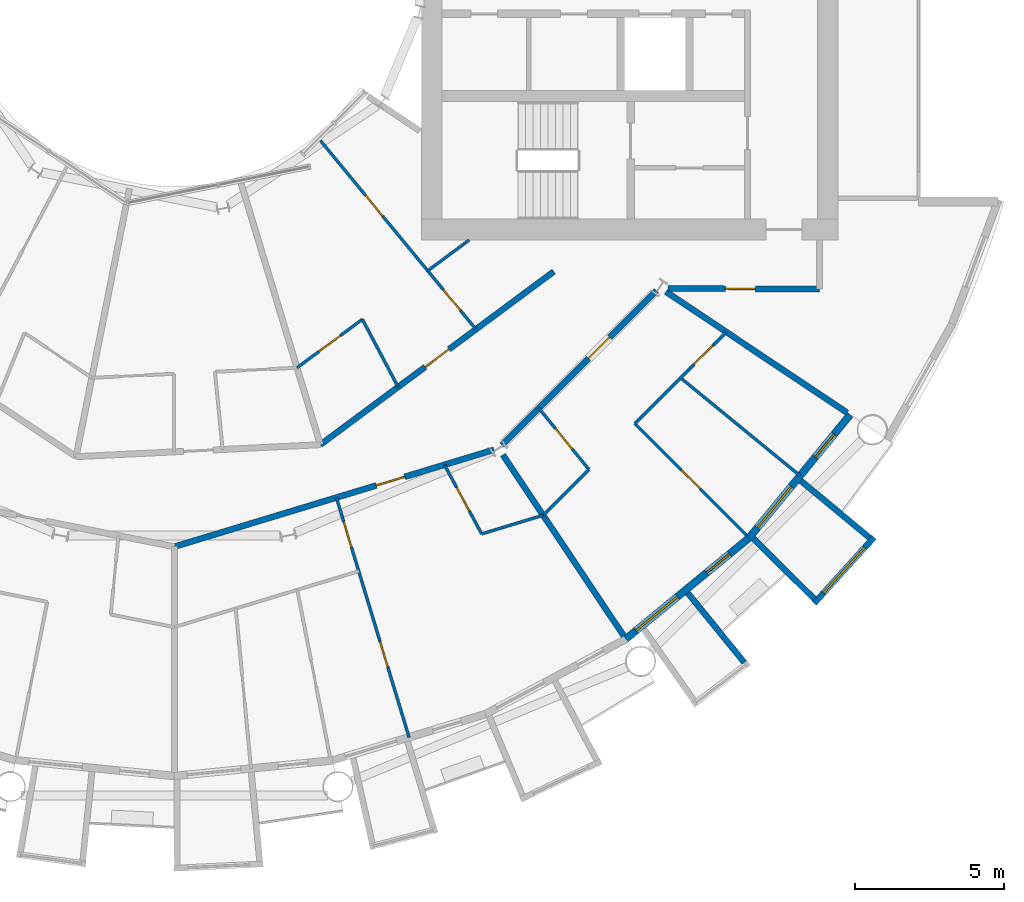
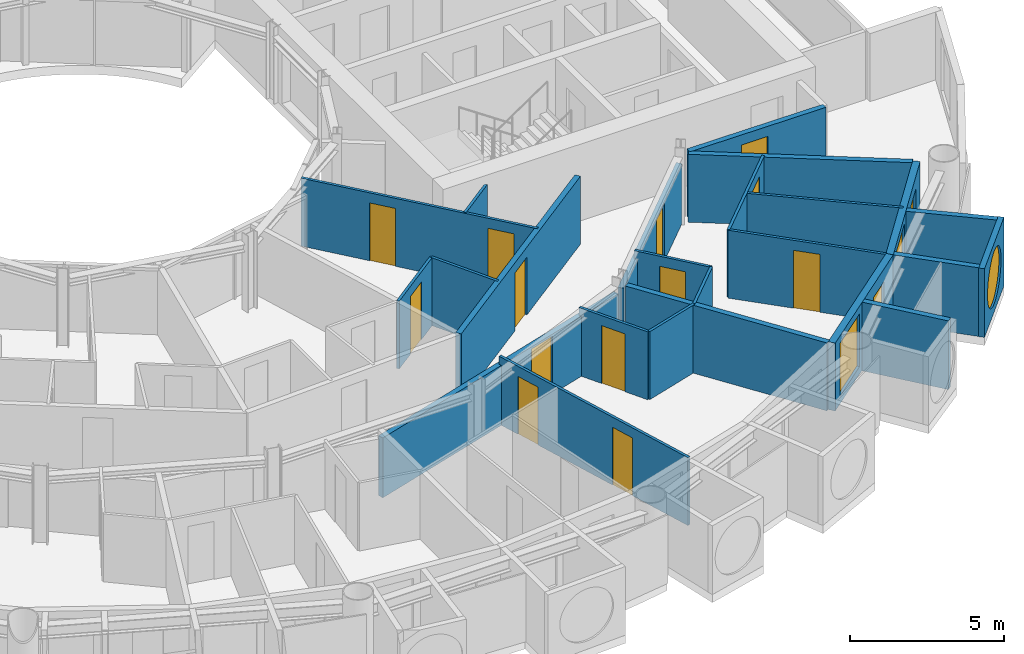
# One storey, part 16 of 26: 24 walls, 15 doors, 3 windows, 18 openings.
"""IFC4 building model written with IfcOpenShell, lengths in metres."""

import ifcopenshell
import ifcopenshell.guid

model = None  # the IFC model being written
_history = None  # IfcOwnerHistory: only IFC2X3 demands one
_inside = {}  # id of a spatial element -> (the spatial element, [elements in it])
_under = {}  # id of a project, library or spatial element -> (it, [spatial elements below it])
_declared = {}  # id of a project -> (the project, [libraries it declares])
_typed = {}  # id of a type object -> (the type object, [elements of that type])
_made_of = {}  # id of a material, layer set ... -> (it, [elements and type objects made of it])


def new_model(schema):
    """Start an empty IFC model of exactly this schema.

    Asked for "IFC4X3", IfcOpenShell would pick the latest addendum, in which some entities
    have other attributes; the version numbers below select the first issue.
    IFC2X3 requires an IfcOwnerHistory on every rooted entity: one is made here for all.
    """
    global model, _history
    if schema == "IFC4X3":
        model = ifcopenshell.file(schema_version=(4, 3, 0, 0))
    else:
        model = ifcopenshell.file(schema=schema)
    _inside.clear()
    _under.clear()
    _declared.clear()
    _typed.clear()
    _made_of.clear()
    _history = None
    if model.schema == "IFC2X3":
        org = make("IfcOrganization", Name="unknown")
        user = make(
            "IfcPersonAndOrganization",
            ThePerson=make("IfcPerson", FamilyName="unknown"),
            TheOrganization=org,
        )
        app = make(
            "IfcApplication",
            ApplicationDeveloper=org,
            Version="unknown",
            ApplicationFullName="unknown",
            ApplicationIdentifier="unknown",
        )
        _history = make(
            "IfcOwnerHistory",
            OwningUser=user,
            OwningApplication=app,
            ChangeAction="ADDED",
            CreationDate=0,
        )
    return model


def make(cls, **values):
    """One entity of the class cls with the attributes given. An attribute that is None is left unset."""
    return model.create_entity(
        cls, **{name: value for name, value in values.items() if value is not None}
    )


def rooted(cls, **values):
    """An entity with a GlobalId (a new one), such as an element, a storey or a relation."""
    return make(cls, GlobalId=ifcopenshell.guid.new(), OwnerHistory=_history, **values)


def si_unit(unit_type, name, prefix=None):
    """IfcSIUnit, for example si_unit("LENGTHUNIT", "METRE", prefix="MILLI")."""
    return make("IfcSIUnit", UnitType=unit_type, Prefix=prefix, Name=name)


def assignment(units):
    """IfcUnitAssignment: the units of a project."""
    return None if units is None else make("IfcUnitAssignment", Units=units)


def point(xyz):
    """IfcCartesianPoint."""
    return None if xyz is None else make("IfcCartesianPoint", Coordinates=xyz)


def direction(xyz):
    """IfcDirection."""
    return None if xyz is None else make("IfcDirection", DirectionRatios=xyz)


def frame(location, z_axis=None, x_axis=None):
    """IfcAxis2Placement3D, a coordinate frame: its origin and axes. An axis left out is left unset."""
    return make(
        "IfcAxis2Placement3D",
        Location=point(location),
        Axis=direction(z_axis),
        RefDirection=direction(x_axis),
    )


def frame_2d(location, x_axis=None):
    """IfcAxis2Placement2D, a coordinate frame in the plane: its origin and x axis."""
    return make(
        "IfcAxis2Placement2D", Location=point(location), RefDirection=direction(x_axis)
    )


def origin():
    """The frame at (0, 0, 0) with its axes left unset."""
    return frame((0.0, 0.0, 0.0))


def place(relative_to, where):
    """IfcLocalPlacement: puts the frame where relative to a parent placement (None: the world)."""
    return make(
        "IfcLocalPlacement", PlacementRelTo=relative_to, RelativePlacement=where
    )


def context(
    kind, dimensions, precision=None, world=None, true_north=None, identifier=None
):
    """IfcGeometricRepresentationContext, for example the 3D "Model" context."""
    return make(
        "IfcGeometricRepresentationContext",
        ContextIdentifier=identifier,
        ContextType=kind,
        CoordinateSpaceDimension=dimensions,
        Precision=precision,
        WorldCoordinateSystem=world,
        TrueNorth=true_north,
    )


def subcontext(parent, identifier, kind, view, scale=None):
    """IfcGeometricRepresentationSubContext, for example "Body" below "Model"."""
    return make(
        "IfcGeometricRepresentationSubContext",
        ContextIdentifier=identifier,
        ContextType=kind,
        ParentContext=parent,
        TargetScale=scale,
        TargetView=view,
    )


def project(units=None, contexts=None):
    """IfcProject with its units and contexts."""
    return rooted(
        "IfcProject",
        Name="project",
        RepresentationContexts=contexts,
        UnitsInContext=assignment(units),
    )


def spatial(cls, under=None, at=None, **own):
    """A site, building, storey or space (cls), placed at a placement, below another one or the project."""
    s = rooted(cls, ObjectPlacement=at, **own)
    if under is not None:
        _under.setdefault(under.id(), (under, []))[1].append(s)
    return s


def profile(cls, at=None, kind="AREA", **sizes):
    """A parametric profile (cls). Its sizes go by their IFC names, for example OverallWidth=200.0."""
    return make(cls, ProfileType=kind, Position=at, **sizes)


def rectangle(**sizes):
    """IfcRectangleProfileDef."""
    return profile("IfcRectangleProfileDef", **sizes)


def circle(**sizes):
    """IfcCircleProfileDef."""
    return profile("IfcCircleProfileDef", **sizes)


def extrude(swept, where, along, depth):
    """IfcExtrudedAreaSolid: the profile swept, set in the frame where, extruded along a direction by depth."""
    return make(
        "IfcExtrudedAreaSolid",
        SweptArea=swept,
        Position=where,
        ExtrudedDirection=direction(along),
        Depth=depth,
    )


def shape(context_of_items, identifier, shape_type, items):
    """IfcShapeRepresentation: the items that make up one representation, for example the "Body"."""
    return make(
        "IfcShapeRepresentation",
        ContextOfItems=context_of_items,
        RepresentationIdentifier=identifier,
        RepresentationType=shape_type,
        Items=items,
    )


def material(Name=None, Category=None):
    """IfcMaterial."""
    return make("IfcMaterial", Name=Name, Category=Category)


def layer(
    of_material, thickness, ventilated=None, Name=None, Category=None, Priority=None
):
    """IfcMaterialLayer: one layer of a wall or slab, of a material (None: an air gap)."""
    return make(
        "IfcMaterialLayer",
        Material=of_material,
        LayerThickness=thickness,
        IsVentilated=ventilated,
        Name=Name,
        Category=Category,
        Priority=Priority,
    )


def layer_set(layers, Name=None):
    """IfcMaterialLayerSet."""
    return make("IfcMaterialLayerSet", MaterialLayers=layers, LayerSetName=Name)


def made_of(thing, what):
    """Note that an element or type object is made of a material, layer set ...; save() writes the relation."""
    if what is not None:
        _made_of.setdefault(what.id(), (what, []))[1].append(thing)
    return thing


def type_object(cls, material=None, **own):
    """A type object (cls), such as IfcWallType, which elements share."""
    return made_of(rooted(cls, **own), material)


def element(
    cls,
    number,
    at=None,
    inside=None,
    cuts=None,
    type_object=None,
    material=None,
    context=None,
    identifier="Body",
    shape_type=None,
    held_by="IfcProductDefinitionShape",
    body=None,
    shapes=None,
    **own,
):
    """One element of the class cls, such as IfcWall. Its Tag is "e" and its number.

    at: its placement. inside: the storey or other place that contains it. cuts: it is an
    opening in that element (IfcRelVoidsElement). A single representation is given by context,
    identifier, shape_type and body (its items); several are given by shapes. held_by: the class
    of the entity that holds the representations. save() writes the other relations.
    """
    e = rooted(cls, Tag="e%d" % number, ObjectPlacement=at, **own)
    if body is not None:
        shapes = [shape(context, identifier, shape_type, body)]
    if shapes is not None:
        e.Representation = make(held_by, Representations=shapes)
    if inside is not None:
        _inside.setdefault(inside.id(), (inside, []))[1].append(e)
    if cuts is not None:
        rooted(
            "IfcRelVoidsElement", RelatingBuildingElement=cuts, RelatedOpeningElement=e
        )
    if type_object is not None:
        _typed.setdefault(type_object.id(), (type_object, []))[1].append(e)
    return made_of(e, material)


def fill(opening, filler):
    """IfcRelFillsElement: the door or window that sits in an opening."""
    return rooted(
        "IfcRelFillsElement",
        RelatingOpeningElement=opening,
        RelatedBuildingElement=filler,
    )


def aggregate(whole, parts):
    """IfcRelAggregates: a whole, such as a stair, and the parts it consists of."""
    return rooted("IfcRelAggregates", RelatingObject=whole, RelatedObjects=parts)


def save(model, path):
    """Write the relations noted so far, then the file.

    IfcRelAggregates (storeys below a building ...), IfcRelContainedInSpatialStructure (elements
    in a storey), IfcRelDefinesByType, IfcRelAssociatesMaterial and IfcRelDeclares: one each for
    every whole, place, type object, material and project.
    """
    for whole, parts in _under.values():
        aggregate(whole, parts)
    for where, things in _inside.values():
        rooted(
            "IfcRelContainedInSpatialStructure",
            RelatedElements=things,
            RelatingStructure=where,
        )
    for kind, things in _typed.values():
        rooted("IfcRelDefinesByType", RelatedObjects=things, RelatingType=kind)
    for what, things in _made_of.values():
        rooted("IfcRelAssociatesMaterial", RelatedObjects=things, RelatingMaterial=what)
    for by, libraries in _declared.values():
        rooted("IfcRelDeclares", RelatingContext=by, RelatedDefinitions=libraries)
    model.write(path)


model = new_model("IFC4")

# Units and contexts
model_context = context("Model", 3, precision=1e-05, world=origin(), true_north=direction((0.0, 1.0)))
body_context = subcontext(model_context, "Body", "Model", "MODEL_VIEW")
ifc_project = project(units=[si_unit("LENGTHUNIT", "METRE"), si_unit("AREAUNIT", "SQUARE_METRE"), si_unit("VOLUMEUNIT", "CUBIC_METRE"), si_unit("PLANEANGLEUNIT", "RADIAN"), si_unit("MASSUNIT", "GRAM", prefix="KILO")], contexts=[model_context])

# Site, building, storey
site_placement = place(None, origin())
site = spatial("IfcSite", under=ifc_project, at=site_placement, CompositionType="ELEMENT")
building_placement = place(site_placement, origin())
building = spatial("IfcBuilding", under=site, at=building_placement, Name="Maasbend Ring Residences", CompositionType="ELEMENT")
storey_placement = place(building_placement, frame((0.0, 0.0, 91.050048828125)))
storey = spatial("IfcBuildingStorey", under=building, at=storey_placement, Name="L26", CompositionType="ELEMENT", Elevation=91.050048828125)

# Wall, opening, door
ifc_material_1 = material(Name="Concrete C30/37", Category="concrete")
ifc_layer_1 = layer(ifc_material_1, 0.199951171875)
ifc_layer_set_1 = layer_set([ifc_layer_1], Name="Concrete C30/37")
wall_type_1 = type_object("IfcWallType", Name="CORRIDOR WALL 200 CONCRETE", PredefinedType="PARTITIONING", material=ifc_layer_set_1)
wall_1_placement = place(storey_placement, frame((11.0, -16.18603515625, 0.0), z_axis=(0.0, 0.0, 1.0), x_axis=(0.707106781187, 0.707106781187, 0.0)))
wall_1 = element("IfcWall", 1, at=wall_1_placement, inside=storey, type_object=wall_type_1, Name="U-L26-w012", PredefinedType="PARTITIONING", context=body_context, shape_type="SweptSolid", body=[
    extrude(rectangle(XDim=7.334228515625, YDim=0.199951171875, at=frame_2d((3.6669921875, 0.0))), origin(), (0.0, 0.0, 1.0), 2.3798828125),
])
opening_1_placement = place(wall_1_placement, frame((4.123046875, 0.0, 0.0)))
opening_1 = element("IfcOpeningElement", 2, at=opening_1_placement, cuts=wall_1, Name="Opening D-2648", PredefinedType="OPENING", context=body_context, shape_type="SweptSolid", body=[
    extrude(rectangle(XDim=1.0, YDim=2.300048828125, at=frame_2d((0.5, 1.14990234375))), frame((0.0, 0.10986328125, 0.0), z_axis=(0.0, -1.0, 0.0), x_axis=(1.0, 0.0, 0.0)), (0.0, 0.0, 1.0), 0.219970703125),
])
ifc_material_2 = material(Name="Timber, fire-rated, painted", Category="wood")
door_type_1 = type_object("IfcDoorType", Name="FLAT ENTRANCE DOOR 1000 X 2300 FIRE-RATED", OperationType="NOTDEFINED", PredefinedType="DOOR", material=ifc_material_2)
door_1_placement = place(opening_1_placement, origin())
door_1 = element("IfcDoor", 3, at=door_1_placement, inside=storey, type_object=door_type_1, Name="D-2648", OperationType="SINGLE_SWING_RIGHT", OverallHeight=2.300048828125, OverallWidth=1.0, PredefinedType="DOOR", context=body_context, shape_type="SweptSolid", body=[
    extrude(rectangle(XDim=1.0, YDim=2.300048828125, at=frame_2d((0.5, 1.14990234375))), frame((0.0, 0.02490234375, 0.0), z_axis=(0.0, -1.0, 0.0), x_axis=(1.0, 0.0, 0.0)), (0.0, 0.0, 1.0), 0.050048828125),
])
fill(opening_1, door_1)

wall_2_placement = place(storey_placement, frame((0.0, -19.60009765625, 0.0), z_axis=(0.0, 0.0, 1.0), x_axis=(0.956932298225, 0.290311172044, 0.0)))
wall_2 = element("IfcWall", 4, at=wall_2_placement, inside=storey, type_object=wall_type_1, Name="U-L26-w014", PredefinedType="PARTITIONING", context=body_context, shape_type="SweptSolid", body=[
    extrude(rectangle(XDim=11.21923828125, YDim=0.199951171875, at=frame_2d((5.609619140625, 0.0))), origin(), (0.0, 0.0, 1.0), 2.3798828125),
])
opening_2_placement = place(wall_2_placement, frame((7.0859375, 0.0, 0.0)))
opening_2 = element("IfcOpeningElement", 5, at=opening_2_placement, cuts=wall_2, Name="Opening D-2642", PredefinedType="OPENING", context=body_context, shape_type="SweptSolid", body=[
    extrude(rectangle(XDim=1.0, YDim=2.300048828125, at=frame_2d((0.5, 1.14990234375))), frame((0.0, 0.10986328125, 0.0), z_axis=(0.0, -1.0, 0.0), x_axis=(1.0, 0.0, 0.0)), (0.0, 0.0, 1.0), 0.219970703125),
])
door_2_placement = place(opening_2_placement, origin())
door_2 = element("IfcDoor", 6, at=door_2_placement, inside=storey, type_object=door_type_1, Name="D-2642", OperationType="SINGLE_SWING_RIGHT", OverallHeight=2.300048828125, OverallWidth=1.0, PredefinedType="DOOR", context=body_context, shape_type="SweptSolid", body=[
    extrude(rectangle(XDim=1.0, YDim=2.300048828125, at=frame_2d((0.5, 1.14990234375))), frame((0.0, 0.02490234375, 0.0), z_axis=(0.0, -1.0, 0.0), x_axis=(1.0, 0.0, 0.0)), (0.0, 0.0, 1.0), 0.050048828125),
])
fill(opening_2, door_2)

wall_3_placement = place(storey_placement, frame((4.906005859375, -16.172119140625, 0.0), z_axis=(0.0, 0.0, 1.0), x_axis=(0.803191461888, 0.595720971219, 0.0)))
wall_3 = element("IfcWall", 7, at=wall_3_placement, inside=storey, type_object=wall_type_1, Name="U-L26-w016", PredefinedType="PARTITIONING", context=body_context, shape_type="SweptSolid", body=[
    extrude(rectangle(XDim=9.760009765625, YDim=0.199951171875, at=frame_2d((4.8798828125, 0.0))), origin(), (0.0, 0.0, 1.0), 2.699951171875),
])
opening_3_placement = place(wall_3_placement, frame((4.3798828125, 0.0, 0.0)))
opening_3 = element("IfcOpeningElement", 8, at=opening_3_placement, cuts=wall_3, Name="Opening D-2659", PredefinedType="OPENING", context=body_context, shape_type="SweptSolid", body=[
    extrude(rectangle(XDim=1.0, YDim=2.300048828125, at=frame_2d((0.5, 1.14990234375))), frame((0.0, 0.10986328125, 0.0), z_axis=(0.0, -1.0, 0.0), x_axis=(1.0, 0.0, 0.0)), (0.0, 0.0, 1.0), 0.219970703125),
])
door_3_placement = place(opening_3_placement, origin())
door_3 = element("IfcDoor", 9, at=door_3_placement, inside=storey, type_object=door_type_1, Name="D-2659", OperationType="SINGLE_SWING_LEFT", OverallHeight=2.300048828125, OverallWidth=1.0, PredefinedType="DOOR", context=body_context, shape_type="SweptSolid", body=[
    extrude(rectangle(XDim=1.0, YDim=2.300048828125, at=frame_2d((0.5, 1.14990234375))), frame((0.0, 0.02490234375, 0.0), z_axis=(0.0, -1.0, 0.0), x_axis=(1.0, 0.0, 0.0)), (0.0, 0.0, 1.0), 0.050048828125),
])
fill(opening_3, door_3)

wall_4_placement = place(storey_placement, frame((16.587890625, -10.925048828125, 0.0), z_axis=(0.0, 0.0, 1.0), x_axis=(0.999988019025, -0.004895079807, 0.0)))
wall_4 = element("IfcWall", 10, at=wall_4_placement, inside=storey, type_object=wall_type_1, Name="U-L26-w025", PredefinedType="PARTITIONING", context=body_context, shape_type="SweptSolid", body=[
    extrude(rectangle(XDim=5.087158203125, YDim=0.199951171875, at=frame_2d((2.54345703125, 0.0))), origin(), (0.0, 0.0, 1.0), 2.699951171875),
])
opening_4_placement = place(wall_4_placement, frame((1.925048828125, 0.0, 0.0)))
opening_4 = element("IfcOpeningElement", 11, at=opening_4_placement, cuts=wall_4, Name="Opening D-2665", PredefinedType="OPENING", context=body_context, shape_type="SweptSolid", body=[
    extrude(rectangle(XDim=1.0, YDim=2.300048828125, at=frame_2d((0.5, 1.14990234375))), frame((0.0, 0.10986328125, 0.0), z_axis=(0.0, -1.0, 0.0), x_axis=(1.0, 0.0, 0.0)), (0.0, 0.0, 1.0), 0.219970703125),
])
ifc_material_3 = material(Name="Timber, painted", Category="wood")
door_type_2 = type_object("IfcDoorType", Name="ROOM DOOR 1000 X 2300", OperationType="NOTDEFINED", PredefinedType="DOOR", material=ifc_material_3)
door_4_placement = place(opening_4_placement, origin())
door_4 = element("IfcDoor", 12, at=door_4_placement, inside=storey, type_object=door_type_2, Name="D-2665", OperationType="SINGLE_SWING_LEFT", OverallHeight=2.300048828125, OverallWidth=1.0, PredefinedType="DOOR", context=body_context, shape_type="SweptSolid", body=[
    extrude(rectangle(XDim=1.0, YDim=2.300048828125, at=frame_2d((0.5, 1.14990234375))), frame((0.0, 0.02490234375, 0.0), z_axis=(0.0, -1.0, 0.0), x_axis=(1.0, 0.0, 0.0)), (0.0, 0.0, 1.0), 0.050048828125),
])
fill(opening_4, door_4)

# Wall
ifc_material_4 = material(Name="Pale anodised aluminium panel", Category="aluminium")
ifc_layer_2 = layer(ifc_material_4, 0.199951171875)
ifc_layer_set_2 = layer_set([ifc_layer_2], Name="EW-BOX")
wall_type_2 = type_object("IfcWallType", Name="EW-BOX", PredefinedType="SOLIDWALL", material=ifc_layer_set_2)
wall_5_placement = place(storey_placement, frame((17.24609375, -21.155029296875, -0.030029296875), z_axis=(0.0, 0.0, 1.0), x_axis=(0.631741648902, -0.775179004516, 0.0)))
element("IfcWall", 13, at=wall_5_placement, inside=storey, type_object=wall_type_2, Name="Box side wall S17 right", PredefinedType="SOLIDWALL", context=body_context, shape_type="SweptSolid", body=[
    extrude(rectangle(XDim=3.005859375, YDim=0.199951171875, at=frame_2d((1.5029296875, 0.0))), origin(), (0.0, 0.0, 1.0), 2.72998046875),
])

# Wall, opening, window
wall_6_placement = place(storey_placement, frame((21.492919921875, -21.5, -0.030029296875), z_axis=(0.0, 0.0, 1.0), x_axis=(0.671506829416, 0.740998365753, 0.0)))
wall_6 = element("IfcWall", 14, at=wall_6_placement, inside=storey, type_object=wall_type_2, Name="Box front S19", PredefinedType="SOLIDWALL", context=body_context, shape_type="SweptSolid", body=[
    extrude(rectangle(XDim=2.9931640625, YDim=0.199951171875, at=frame_2d((1.49658203125, 0.0))), origin(), (0.0, 0.0, 1.0), 2.72998046875),
])
opening_5_placement = place(wall_6_placement, frame((0.45654296875, 0.0, 0.330078125)))
opening_5 = element("IfcOpeningElement", 15, at=opening_5_placement, cuts=wall_6, Name="Opening W-RD", PredefinedType="OPENING", context=body_context, shape_type="SweptSolid", body=[
    extrude(circle(Radius=1.0400390625, at=frame_2d((1.0400390625, 1.0400390625))), frame((0.0, 0.10986328125, 0.0), z_axis=(0.0, -1.0, 0.0), x_axis=(1.0, 0.0, 0.0)), (0.0, 0.0, 1.0), 0.219970703125),
])
ifc_material_5 = material(Name="Aluminium and clear glass", Category="aluminium")
window_type_1 = type_object("IfcWindowType", Name="W-RD", PartitioningType="SINGLE_PANEL", PredefinedType="WINDOW", material=ifc_material_5)
window_1_placement = place(opening_5_placement, origin())
window_1 = element("IfcWindow", 16, at=window_1_placement, inside=storey, type_object=window_type_1, Name="Round window S19", OverallHeight=2.080078125, OverallWidth=2.080078125, PartitioningType="SINGLE_PANEL", PredefinedType="WINDOW", context=body_context, shape_type="SweptSolid", body=[
    extrude(circle(Radius=1.0400390625, at=frame_2d((1.0400390625, 1.0400390625))), frame((0.0, 0.030029296875, 0.0), z_axis=(0.0, -1.0, 0.0), x_axis=(1.0, 0.0, 0.0)), (0.0, 0.0, 1.0), 0.06005859375),
])
fill(opening_5, window_1)

# Walls
wall_7_placement = place(storey_placement, frame((19.449951171875, -19.322998046875, -0.030029296875), z_axis=(0.0, 0.0, 1.0), x_axis=(0.709727076896, -0.704476739375, 0.0)))
element("IfcWall", 17, at=wall_7_placement, inside=storey, type_object=wall_type_2, Name="Box side wall S19 left", PredefinedType="SOLIDWALL", context=body_context, shape_type="SweptSolid", body=[
    extrude(rectangle(XDim=2.883056640625, YDim=0.199951171875, at=frame_2d((1.44140625, 0.0))), origin(), (0.0, 0.0, 1.0), 2.72998046875),
])
wall_8_placement = place(storey_placement, frame((21.041015625, -17.384033203125, -0.030029296875), z_axis=(0.0, 0.0, 1.0), x_axis=(0.770784861449, -0.63709551667, 0.0)))
element("IfcWall", 18, at=wall_8_placement, inside=storey, type_object=wall_type_2, Name="Box side wall S19 right", PredefinedType="SOLIDWALL", context=body_context, shape_type="SweptSolid", body=[
    extrude(rectangle(XDim=3.005859375, YDim=0.199951171875, at=frame_2d((1.5029296875, 0.0))), origin(), (0.0, 0.0, 1.0), 2.72998046875),
])

# Wall, openings, door, window
ifc_material_6 = material(Name="Aluminium clad insulated panel", Category="aluminium")
ifc_layer_3 = layer(ifc_material_6, 0.25)
ifc_layer_set_3 = layer_set([ifc_layer_3], Name="EW-GL")
wall_type_3 = type_object("IfcWallType", Name="EW-GL", PredefinedType="SOLIDWALL", material=ifc_layer_set_3)
wall_9_placement = place(storey_placement, frame((15.1669921875, -22.698974609375, 0.0), z_axis=(0.0, 0.0, 1.0), x_axis=(0.773019449054, 0.634382322723, 0.0)))
wall_9 = element("IfcWall", 19, at=wall_9_placement, inside=storey, type_object=wall_type_3, Name="External wall S09", PredefinedType="SOLIDWALL", context=body_context, shape_type="SweptSolid", body=[
    extrude(rectangle(XDim=5.351806640625, YDim=0.25, at=frame_2d((2.67578125, 0.0))), origin(), (0.0, 0.0, 1.0), 2.699951171875),
])
opening_6_placement = place(wall_9_placement, frame((0.441162109375, 0.0, 0.300048828125)))
opening_6 = element("IfcOpeningElement", 20, at=opening_6_placement, cuts=wall_9, Name="Opening W-BX", PredefinedType="OPENING", context=body_context, shape_type="SweptSolid", body=[
    extrude(rectangle(XDim=1.800048828125, YDim=2.10009765625, at=frame_2d((0.89990234375, 1.050048828125))), frame((0.0, 0.135009765625, 0.0), z_axis=(0.0, -1.0, 0.0), x_axis=(1.0, 0.0, 0.0)), (0.0, 0.0, 1.0), 0.27001953125),
])
opening_7_placement = place(wall_9_placement, frame((3.510498046875, 0.0, 0.0)))
opening_7 = element("IfcOpeningElement", 21, at=opening_7_placement, cuts=wall_9, Name="Opening D-LG", PredefinedType="OPENING", context=body_context, shape_type="SweptSolid", body=[
    extrude(rectangle(XDim=1.0, YDim=2.199951171875, at=frame_2d((0.5, 1.10009765625))), frame((0.0, 0.135009765625, 0.0), z_axis=(0.0, -1.0, 0.0), x_axis=(1.0, 0.0, 0.0)), (0.0, 0.0, 1.0), 0.27001953125),
])
ifc_material_7 = material(Name="Aluminium and clear glass", Category="aluminium")
door_type_3 = type_object("IfcDoorType", Name="D-LG", OperationType="SINGLE_SWING_LEFT", PredefinedType="DOOR", material=ifc_material_7)
door_5_placement = place(opening_7_placement, origin())
door_5 = element("IfcDoor", 22, at=door_5_placement, inside=storey, type_object=door_type_3, Name="Loggia door S18", OperationType="SINGLE_SWING_LEFT", OverallHeight=2.199951171875, OverallWidth=1.0, PredefinedType="DOOR", context=body_context, shape_type="SweptSolid", body=[
    extrude(rectangle(XDim=1.0, YDim=2.199951171875, at=frame_2d((0.5, 1.10009765625))), frame((0.0, 0.02490234375, 0.0), z_axis=(0.0, -1.0, 0.0), x_axis=(1.0, 0.0, 0.0)), (0.0, 0.0, 1.0), 0.050048828125),
])
fill(opening_7, door_5)
ifc_material_8 = material(Name="Aluminium and clear glass", Category="aluminium")
window_type_2 = type_object("IfcWindowType", Name="W-BX", PartitioningType="DOUBLE_PANEL_VERTICAL", PredefinedType="WINDOW", material=ifc_material_8)
window_2_placement = place(opening_6_placement, origin())
window_2 = element("IfcWindow", 23, at=window_2_placement, inside=storey, type_object=window_type_2, Name="Window S17 room to box", OverallHeight=2.10009765625, OverallWidth=1.800048828125, PartitioningType="SINGLE_PANEL", PredefinedType="WINDOW", context=body_context, shape_type="SweptSolid", body=[
    extrude(rectangle(XDim=1.800048828125, YDim=2.10009765625, at=frame_2d((0.89990234375, 1.050048828125))), frame((0.0, 0.030029296875, 0.0), z_axis=(0.0, -1.0, 0.0), x_axis=(1.0, 0.0, 0.0)), (0.0, 0.0, 1.0), 0.06005859375),
])
fill(opening_6, window_2)

wall_10_placement = place(storey_placement, frame((19.303955078125, -19.303955078125, 0.0), z_axis=(0.0, 0.0, 1.0), x_axis=(0.634382322723, 0.773019449054, 0.0)))
wall_10 = element("IfcWall", 24, at=wall_10_placement, inside=storey, type_object=wall_type_3, Name="External wall S10", PredefinedType="SOLIDWALL", context=body_context, shape_type="SweptSolid", body=[
    extrude(rectangle(XDim=5.351806640625, YDim=0.25, at=frame_2d((2.67578125, 0.0))), origin(), (0.0, 0.0, 1.0), 2.699951171875),
])
opening_8_placement = place(wall_10_placement, frame((0.441162109375, 0.0, 0.300048828125)))
opening_8 = element("IfcOpeningElement", 25, at=opening_8_placement, cuts=wall_10, Name="Opening W-BX", PredefinedType="OPENING", context=body_context, shape_type="SweptSolid", body=[
    extrude(rectangle(XDim=1.800048828125, YDim=2.10009765625, at=frame_2d((0.89990234375, 1.050048828125))), frame((0.0, 0.135009765625, 0.0), z_axis=(0.0, -1.0, 0.0), x_axis=(1.0, 0.0, 0.0)), (0.0, 0.0, 1.0), 0.27001953125),
])
opening_9_placement = place(wall_10_placement, frame((3.510498046875, 0.0, 0.0)))
opening_9 = element("IfcOpeningElement", 26, at=opening_9_placement, cuts=wall_10, Name="Opening D-LG", PredefinedType="OPENING", context=body_context, shape_type="SweptSolid", body=[
    extrude(rectangle(XDim=1.0, YDim=2.199951171875, at=frame_2d((0.5, 1.10009765625))), frame((0.0, 0.135009765625, 0.0), z_axis=(0.0, -1.0, 0.0), x_axis=(1.0, 0.0, 0.0)), (0.0, 0.0, 1.0), 0.27001953125),
])
door_6_placement = place(opening_9_placement, origin())
door_6 = element("IfcDoor", 27, at=door_6_placement, inside=storey, type_object=door_type_3, Name="Loggia door S20", OperationType="SINGLE_SWING_LEFT", OverallHeight=2.199951171875, OverallWidth=1.0, PredefinedType="DOOR", context=body_context, shape_type="SweptSolid", body=[
    extrude(rectangle(XDim=1.0, YDim=2.199951171875, at=frame_2d((0.5, 1.10009765625))), frame((0.0, 0.02490234375, 0.0), z_axis=(0.0, -1.0, 0.0), x_axis=(1.0, 0.0, 0.0)), (0.0, 0.0, 1.0), 0.050048828125),
])
fill(opening_9, door_6)
window_3_placement = place(opening_8_placement, origin())
window_3 = element("IfcWindow", 28, at=window_3_placement, inside=storey, type_object=window_type_2, Name="Window S19 room to box", OverallHeight=2.10009765625, OverallWidth=1.800048828125, PartitioningType="SINGLE_PANEL", PredefinedType="WINDOW", context=body_context, shape_type="SweptSolid", body=[
    extrude(rectangle(XDim=1.800048828125, YDim=2.10009765625, at=frame_2d((0.89990234375, 1.050048828125))), frame((0.0, 0.030029296875, 0.0), z_axis=(0.0, -1.0, 0.0), x_axis=(1.0, 0.0, 0.0)), (0.0, 0.0, 1.0), 0.06005859375),
])
fill(opening_8, window_3)

# Wall
ifc_material_9 = material(Name="Gypsum board on steel studs", Category="steel")
ifc_layer_4 = layer(ifc_material_9, 0.10009765625)
ifc_layer_set_4 = layer_set([ifc_layer_4], Name="PARTITION 100 GYPSUM")
wall_type_4 = type_object("IfcWallType", Name="PARTITION 100 GYPSUM", PredefinedType="PARTITIONING", material=ifc_layer_set_4)
wall_11_placement = place(storey_placement, frame((12.388916015625, -18.5419921875, 0.0), z_axis=(0.0, 0.0, 1.0), x_axis=(0.707106781187, 0.707106781187, 0.0)))
element("IfcWall", 29, at=wall_11_placement, inside=storey, type_object=wall_type_4, Name="U-L26-w003", PredefinedType="PARTITIONING", context=body_context, shape_type="SweptSolid", body=[
    extrude(rectangle(XDim=2.17529296875, YDim=0.10009765625, at=frame_2d((1.087646484375, 0.0))), origin(), (0.0, 0.0, 1.0), 2.699951171875),
])

# Wall, opening, door
wall_12_placement = place(storey_placement, frame((15.468017578125, -15.462890625, 0.0), z_axis=(0.0, 0.0, 1.0), x_axis=(0.707106781187, 0.707106781187, 0.0)))
wall_12 = element("IfcWall", 30, at=wall_12_placement, inside=storey, type_object=wall_type_4, Name="U-L26-w004", PredefinedType="PARTITIONING", context=body_context, shape_type="SweptSolid", body=[
    extrude(rectangle(XDim=4.351318359375, YDim=0.10009765625, at=frame_2d((2.17578125, 0.0))), origin(), (0.0, 0.0, 1.0), 2.699951171875),
])
opening_10_placement = place(wall_12_placement, frame((2.80810546875, 0.0, 0.0)))
opening_10 = element("IfcOpeningElement", 31, at=opening_10_placement, cuts=wall_12, Name="Opening D-2651", PredefinedType="OPENING", context=body_context, shape_type="SweptSolid", body=[
    extrude(rectangle(XDim=0.89990234375, YDim=2.300048828125, at=frame_2d((0.449951171875, 1.14990234375))), frame((0.0, 0.06005859375, 0.0), z_axis=(0.0, -1.0, 0.0), x_axis=(1.0, 0.0, 0.0)), (0.0, 0.0, 1.0), 0.1201171875),
])
ifc_material_10 = material(Name="Timber, painted", Category="wood")
door_type_4 = type_object("IfcDoorType", Name="INTERNAL DOOR 900 X 2300", OperationType="NOTDEFINED", PredefinedType="DOOR", material=ifc_material_10)
door_7_placement = place(opening_10_placement, origin())
door_7 = element("IfcDoor", 32, at=door_7_placement, inside=storey, type_object=door_type_4, Name="D-2651", OperationType="SINGLE_SWING_RIGHT", OverallHeight=2.300048828125, OverallWidth=0.89990234375, PredefinedType="DOOR", context=body_context, shape_type="SweptSolid", body=[
    extrude(rectangle(XDim=0.89990234375, YDim=2.300048828125, at=frame_2d((0.449951171875, 1.14990234375))), frame((0.0, 0.02490234375, 0.0), z_axis=(0.0, -1.0, 0.0), x_axis=(1.0, 0.0, 0.0)), (0.0, 0.0, 1.0), 0.050048828125),
])
fill(opening_10, door_7)

# Wall
wall_13_placement = place(storey_placement, frame((10.326904296875, -19.16796875, 0.0), z_axis=(0.0, 0.0, 1.0), x_axis=(0.956877769253, 0.290490851335, 0.0)))
element("IfcWall", 33, at=wall_13_placement, inside=storey, type_object=wall_type_4, Name="U-L26-w010", PredefinedType="PARTITIONING", context=body_context, shape_type="SweptSolid", body=[
    extrude(rectangle(XDim=2.158203125, YDim=0.10009765625, at=frame_2d((1.0791015625, 0.0))), origin(), (0.0, 0.0, 1.0), 2.699951171875),
])

# Wall, opening, door
wall_14_placement = place(storey_placement, frame((4.123046875, -13.589111328125, 0.0), z_axis=(0.0, 0.0, 1.0), x_axis=(0.803128348509, 0.595806055542, 0.0)))
wall_14 = element("IfcWall", 34, at=wall_14_placement, inside=storey, type_object=wall_type_4, Name="U-L26-w020", PredefinedType="PARTITIONING", context=body_context, shape_type="SweptSolid", body=[
    extrude(rectangle(XDim=2.734375, YDim=0.10009765625, at=frame_2d((1.3671875, 0.0))), origin(), (0.0, 0.0, 1.0), 2.699951171875),
])
opening_11_placement = place(wall_14_placement, frame((0.916015625, 0.0, 0.0)))
opening_11 = element("IfcOpeningElement", 35, at=opening_11_placement, cuts=wall_14, Name="Opening D-2660", PredefinedType="OPENING", context=body_context, shape_type="SweptSolid", body=[
    extrude(rectangle(XDim=0.89990234375, YDim=2.300048828125, at=frame_2d((0.449951171875, 1.14990234375))), frame((0.0, 0.06005859375, 0.0), z_axis=(0.0, -1.0, 0.0), x_axis=(1.0, 0.0, 0.0)), (0.0, 0.0, 1.0), 0.1201171875),
])
door_8_placement = place(opening_11_placement, origin())
door_8 = element("IfcDoor", 36, at=door_8_placement, inside=storey, type_object=door_type_4, Name="D-2660", OperationType="SINGLE_SWING_LEFT", OverallHeight=2.300048828125, OverallWidth=0.89990234375, PredefinedType="DOOR", context=body_context, shape_type="SweptSolid", body=[
    extrude(rectangle(XDim=0.89990234375, YDim=2.300048828125, at=frame_2d((0.449951171875, 1.14990234375))), frame((0.0, 0.02490234375, 0.0), z_axis=(0.0, -1.0, 0.0), x_axis=(1.0, 0.0, 0.0)), (0.0, 0.0, 1.0), 0.050048828125),
])
fill(opening_11, door_8)

# Wall
wall_15_placement = place(storey_placement, frame((8.512939453125, -10.33203125, 0.0), z_axis=(0.0, 0.0, 1.0), x_axis=(0.803135014325, 0.595797070121, 0.0)))
element("IfcWall", 37, at=wall_15_placement, inside=storey, type_object=wall_type_4, Name="U-L26-w021", PredefinedType="PARTITIONING", context=body_context, shape_type="SweptSolid", body=[
    extrude(rectangle(XDim=1.732177734375, YDim=0.10009765625, at=frame_2d((0.8662109375, 0.0))), origin(), (0.0, 0.0, 1.0), 2.699951171875),
])

# Wall, openings, doors
wall_16_placement = place(storey_placement, frame((4.907958984375, -5.958984375, 0.0), z_axis=(0.0, 0.0, 1.0), x_axis=(0.636105207978, -0.771602335652, 0.0)))
wall_16 = element("IfcWall", 38, at=wall_16_placement, inside=storey, type_object=wall_type_4, Name="U-L26-w067", PredefinedType="PARTITIONING", context=body_context, shape_type="SweptSolid", body=[
    extrude(rectangle(XDim=8.212646484375, YDim=0.10009765625, at=frame_2d((4.1064453125, 0.0))), origin(), (0.0, 0.0, 1.0), 2.699951171875),
])
opening_12_placement = place(wall_16_placement, frame((6.489990234375, 0.0, 0.0)))
opening_12 = element("IfcOpeningElement", 39, at=opening_12_placement, cuts=wall_16, Name="Opening D-2661", PredefinedType="OPENING", context=body_context, shape_type="SweptSolid", body=[
    extrude(rectangle(XDim=0.89990234375, YDim=2.300048828125, at=frame_2d((0.449951171875, 1.14990234375))), frame((0.0, 0.06005859375, 0.0), z_axis=(0.0, -1.0, 0.0), x_axis=(1.0, 0.0, 0.0)), (0.0, 0.0, 1.0), 0.1201171875),
])
opening_13_placement = place(wall_16_placement, frame((2.384033203125, 0.0, 0.0)))
opening_13 = element("IfcOpeningElement", 40, at=opening_13_placement, cuts=wall_16, Name="Opening D-2662", PredefinedType="OPENING", context=body_context, shape_type="SweptSolid", body=[
    extrude(rectangle(XDim=0.89990234375, YDim=2.300048828125, at=frame_2d((0.449951171875, 1.14990234375))), frame((0.0, 0.06005859375, 0.0), z_axis=(0.0, -1.0, 0.0), x_axis=(1.0, 0.0, 0.0)), (0.0, 0.0, 1.0), 0.1201171875),
])
door_9_placement = place(opening_12_placement, origin())
door_9 = element("IfcDoor", 41, at=door_9_placement, inside=storey, type_object=door_type_4, Name="D-2661", OperationType="SINGLE_SWING_RIGHT", OverallHeight=2.300048828125, OverallWidth=0.89990234375, PredefinedType="DOOR", context=body_context, shape_type="SweptSolid", body=[
    extrude(rectangle(XDim=0.89990234375, YDim=2.300048828125, at=frame_2d((0.449951171875, 1.14990234375))), frame((0.0, 0.02490234375, 0.0), z_axis=(0.0, -1.0, 0.0), x_axis=(1.0, 0.0, 0.0)), (0.0, 0.0, 1.0), 0.050048828125),
])
fill(opening_12, door_9)
door_10_placement = place(opening_13_placement, origin())
door_10 = element("IfcDoor", 42, at=door_10_placement, inside=storey, type_object=door_type_4, Name="D-2662", OperationType="SINGLE_SWING_LEFT", OverallHeight=2.300048828125, OverallWidth=0.89990234375, PredefinedType="DOOR", context=body_context, shape_type="SweptSolid", body=[
    extrude(rectangle(XDim=0.89990234375, YDim=2.300048828125, at=frame_2d((0.449951171875, 1.14990234375))), frame((0.0, 0.02490234375, 0.0), z_axis=(0.0, -1.0, 0.0), x_axis=(1.0, 0.0, 0.0)), (0.0, 0.0, 1.0), 0.050048828125),
])
fill(opening_13, door_10)

wall_17_placement = place(storey_placement, frame((5.445068359375, -17.947998046875, 0.0), z_axis=(0.0, 0.0, 1.0), x_axis=(0.290158700753, -0.956978541231, 0.0)))
wall_17 = element("IfcWall", 43, at=wall_17_placement, inside=storey, type_object=wall_type_4, Name="U-L26-w069", PredefinedType="PARTITIONING", context=body_context, shape_type="SweptSolid", body=[
    extrude(rectangle(XDim=8.419189453125, YDim=0.10009765625, at=frame_2d((4.20947265625, 0.0))), origin(), (0.0, 0.0, 1.0), 2.699951171875),
])
opening_14_placement = place(wall_17_placement, frame((0.842041015625, 0.0, 0.0)))
opening_14 = element("IfcOpeningElement", 44, at=opening_14_placement, cuts=wall_17, Name="Opening D-2644", PredefinedType="OPENING", context=body_context, shape_type="SweptSolid", body=[
    extrude(rectangle(XDim=0.89990234375, YDim=2.300048828125, at=frame_2d((0.449951171875, 1.14990234375))), frame((0.0, 0.06005859375, 0.0), z_axis=(0.0, -1.0, 0.0), x_axis=(1.0, 0.0, 0.0)), (0.0, 0.0, 1.0), 0.1201171875),
])
opening_15_placement = place(wall_17_placement, frame((5.052001953125, 0.0, 0.0)))
opening_15 = element("IfcOpeningElement", 45, at=opening_15_placement, cuts=wall_17, Name="Opening D-2645", PredefinedType="OPENING", context=body_context, shape_type="SweptSolid", body=[
    extrude(rectangle(XDim=0.89990234375, YDim=2.300048828125, at=frame_2d((0.449951171875, 1.14990234375))), frame((0.0, 0.06005859375, 0.0), z_axis=(0.0, -1.0, 0.0), x_axis=(1.0, 0.0, 0.0)), (0.0, 0.0, 1.0), 0.1201171875),
])
door_11_placement = place(opening_14_placement, origin())
door_11 = element("IfcDoor", 46, at=door_11_placement, inside=storey, type_object=door_type_4, Name="D-2644", OperationType="SINGLE_SWING_LEFT", OverallHeight=2.300048828125, OverallWidth=0.89990234375, PredefinedType="DOOR", context=body_context, shape_type="SweptSolid", body=[
    extrude(rectangle(XDim=0.89990234375, YDim=2.300048828125, at=frame_2d((0.449951171875, 1.14990234375))), frame((0.0, 0.02490234375, 0.0), z_axis=(0.0, -1.0, 0.0), x_axis=(1.0, 0.0, 0.0)), (0.0, 0.0, 1.0), 0.050048828125),
])
fill(opening_14, door_11)
door_12_placement = place(opening_15_placement, origin())
door_12 = element("IfcDoor", 47, at=door_12_placement, inside=storey, type_object=door_type_4, Name="D-2645", OperationType="SINGLE_SWING_RIGHT", OverallHeight=2.300048828125, OverallWidth=0.89990234375, PredefinedType="DOOR", context=body_context, shape_type="SweptSolid", body=[
    extrude(rectangle(XDim=0.89990234375, YDim=2.300048828125, at=frame_2d((0.449951171875, 1.14990234375))), frame((0.0, 0.02490234375, 0.0), z_axis=(0.0, -1.0, 0.0), x_axis=(1.0, 0.0, 0.0)), (0.0, 0.0, 1.0), 0.050048828125),
])
fill(opening_15, door_12)

# Wall
wall_18_placement = place(storey_placement, frame((6.31689453125, -11.9599609375, 0.0), z_axis=(0.0, 0.0, 1.0), x_axis=(0.466880254022, -0.884320546185, 0.0)))
element("IfcWall", 48, at=wall_18_placement, inside=storey, type_object=wall_type_4, Name="U-L26-w071", PredefinedType="PARTITIONING", context=body_context, shape_type="SweptSolid", body=[
    extrude(rectangle(XDim=2.57275390625, YDim=0.10009765625, at=frame_2d((1.286376953125, 0.0))), origin(), (0.0, 0.0, 1.0), 2.699951171875),
])

# Wall, opening, door
wall_19_placement = place(storey_placement, frame((9.073974609375, -16.846923828125, 0.0), z_axis=(0.0, 0.0, 1.0), x_axis=(0.474160570331, -0.880438387136, 0.0)))
wall_19 = element("IfcWall", 49, at=wall_19_placement, inside=storey, type_object=wall_type_4, Name="U-L26-w073", PredefinedType="PARTITIONING", context=body_context, shape_type="SweptSolid", body=[
    extrude(rectangle(XDim=2.63623046875, YDim=0.10009765625, at=frame_2d((1.318115234375, 0.0))), origin(), (0.0, 0.0, 1.0), 2.699951171875),
])
opening_16_placement = place(wall_19_placement, frame((0.867919921875, 0.0, 0.0)))
opening_16 = element("IfcOpeningElement", 50, at=opening_16_placement, cuts=wall_19, Name="Opening D-2643", PredefinedType="OPENING", context=body_context, shape_type="SweptSolid", body=[
    extrude(rectangle(XDim=0.89990234375, YDim=2.300048828125, at=frame_2d((0.449951171875, 1.14990234375))), frame((0.0, 0.06005859375, 0.0), z_axis=(0.0, -1.0, 0.0), x_axis=(1.0, 0.0, 0.0)), (0.0, 0.0, 1.0), 0.1201171875),
])
door_13_placement = place(opening_16_placement, origin())
door_13 = element("IfcDoor", 51, at=door_13_placement, inside=storey, type_object=door_type_4, Name="D-2643", OperationType="SINGLE_SWING_RIGHT", OverallHeight=2.300048828125, OverallWidth=0.89990234375, PredefinedType="DOOR", context=body_context, shape_type="SweptSolid", body=[
    extrude(rectangle(XDim=0.89990234375, YDim=2.300048828125, at=frame_2d((0.449951171875, 1.14990234375))), frame((0.0, 0.02490234375, 0.0), z_axis=(0.0, -1.0, 0.0), x_axis=(1.0, 0.0, 0.0)), (0.0, 0.0, 1.0), 0.050048828125),
])
fill(opening_16, door_13)

wall_20_placement = place(storey_placement, frame((12.240966796875, -14.945068359375, 0.0), z_axis=(0.0, 0.0, 1.0), x_axis=(0.633582447834, -0.77367517848, 0.0)))
wall_20 = element("IfcWall", 52, at=wall_20_placement, inside=storey, type_object=wall_type_4, Name="U-L26-w077", PredefinedType="PARTITIONING", context=body_context, shape_type="SweptSolid", body=[
    extrude(rectangle(XDim=2.6611328125, YDim=0.10009765625, at=frame_2d((1.33056640625, 0.0))), origin(), (0.0, 0.0, 1.0), 2.699951171875),
])
opening_17_placement = place(wall_20_placement, frame((0.881103515625, 0.0, 0.0)))
opening_17 = element("IfcOpeningElement", 53, at=opening_17_placement, cuts=wall_20, Name="Opening D-2649", PredefinedType="OPENING", context=body_context, shape_type="SweptSolid", body=[
    extrude(rectangle(XDim=0.89990234375, YDim=2.300048828125, at=frame_2d((0.449951171875, 1.14990234375))), frame((0.0, 0.06005859375, 0.0), z_axis=(0.0, -1.0, 0.0), x_axis=(1.0, 0.0, 0.0)), (0.0, 0.0, 1.0), 0.1201171875),
])
door_14_placement = place(opening_17_placement, origin())
door_14 = element("IfcDoor", 54, at=door_14_placement, inside=storey, type_object=door_type_4, Name="D-2649", OperationType="SINGLE_SWING_LEFT", OverallHeight=2.300048828125, OverallWidth=0.89990234375, PredefinedType="DOOR", context=body_context, shape_type="SweptSolid", body=[
    extrude(rectangle(XDim=0.89990234375, YDim=2.300048828125, at=frame_2d((0.449951171875, 1.14990234375))), frame((0.0, 0.02490234375, 0.0), z_axis=(0.0, -1.0, 0.0), x_axis=(1.0, 0.0, 0.0)), (0.0, 0.0, 1.0), 0.050048828125),
])
fill(opening_17, door_14)

wall_21_placement = place(storey_placement, frame((15.465087890625, -15.465087890625, 0.0), z_axis=(0.0, 0.0, 1.0), x_axis=(0.707106781187, -0.707106781187, 0.0)))
wall_21 = element("IfcWall", 55, at=wall_21_placement, inside=storey, type_object=wall_type_4, Name="U-L26-w080", PredefinedType="PARTITIONING", context=body_context, shape_type="SweptSolid", body=[
    extrude(rectangle(XDim=5.3046875, YDim=0.10009765625, at=frame_2d((2.65234375, 0.0))), origin(), (0.0, 0.0, 1.0), 2.699951171875),
])
opening_18_placement = place(wall_21_placement, frame((2.201904296875, 0.0, 0.0)))
opening_18 = element("IfcOpeningElement", 56, at=opening_18_placement, cuts=wall_21, Name="Opening D-2650", PredefinedType="OPENING", context=body_context, shape_type="SweptSolid", body=[
    extrude(rectangle(XDim=0.89990234375, YDim=2.300048828125, at=frame_2d((0.449951171875, 1.14990234375))), frame((0.0, 0.06005859375, 0.0), z_axis=(0.0, -1.0, 0.0), x_axis=(1.0, 0.0, 0.0)), (0.0, 0.0, 1.0), 0.1201171875),
])
door_15_placement = place(opening_18_placement, origin())
door_15 = element("IfcDoor", 57, at=door_15_placement, inside=storey, type_object=door_type_4, Name="D-2650", OperationType="SINGLE_SWING_RIGHT", OverallHeight=2.300048828125, OverallWidth=0.89990234375, PredefinedType="DOOR", context=body_context, shape_type="SweptSolid", body=[
    extrude(rectangle(XDim=0.89990234375, YDim=2.300048828125, at=frame_2d((0.449951171875, 1.14990234375))), frame((0.0, 0.02490234375, 0.0), z_axis=(0.0, -1.0, 0.0), x_axis=(1.0, 0.0, 0.0)), (0.0, 0.0, 1.0), 0.050048828125),
])
fill(opening_18, door_15)

# Walls
wall_22_placement = place(storey_placement, frame((17.00390625, -13.927001953125, 0.0), z_axis=(0.0, 0.0, 1.0), x_axis=(0.773517471898, -0.633774976367, 0.0)))
element("IfcWall", 58, at=wall_22_placement, inside=storey, type_object=wall_type_4, Name="U-L26-w084", PredefinedType="PARTITIONING", context=body_context, shape_type="SweptSolid", body=[
    extrude(rectangle(XDim=5.19580078125, YDim=0.10009765625, at=frame_2d((2.597900390625, 0.0))), origin(), (0.0, 0.0, 1.0), 2.699951171875),
])
ifc_material_11 = material(Name="Concrete C30/37", Category="concrete")
ifc_layer_5 = layer(ifc_material_11, 0.199951171875)
ifc_layer_set_5 = layer_set([ifc_layer_5], Name="Concrete C30/37")
wall_type_5 = type_object("IfcWallType", Name="PARTY WALL 200 CONCRETE", PredefinedType="PARTITIONING", material=ifc_layer_set_5)
wall_23_placement = place(storey_placement, frame((11.033935546875, -16.514892578125, 0.0), z_axis=(0.0, 0.0, 1.0), x_axis=(0.555701298605, -0.831382022135, 0.0)))
element("IfcWall", 59, at=wall_23_placement, inside=storey, type_object=wall_type_5, Name="U-L26-w075", PredefinedType="PARTITIONING", context=body_context, shape_type="SweptSolid", body=[
    extrude(rectangle(XDim=7.313232421875, YDim=0.199951171875, at=frame_2d((3.65673828125, 0.0))), origin(), (0.0, 0.0, 1.0), 2.699951171875),
])
wall_24_placement = place(storey_placement, frame((16.514892578125, -11.034912109375, 0.0), z_axis=(0.0, 0.0, 1.0), x_axis=(0.831505405283, -0.555516661303, 0.0)))
element("IfcWall", 60, at=wall_24_placement, inside=storey, type_object=wall_type_5, Name="U-L26-w082", PredefinedType="PARTITIONING", context=body_context, shape_type="SweptSolid", body=[
    extrude(rectangle(XDim=7.31201171875, YDim=0.199951171875, at=frame_2d((3.656005859375, 0.0))), origin(), (0.0, 0.0, 1.0), 2.699951171875),
])

save(model, "model.ifc")
